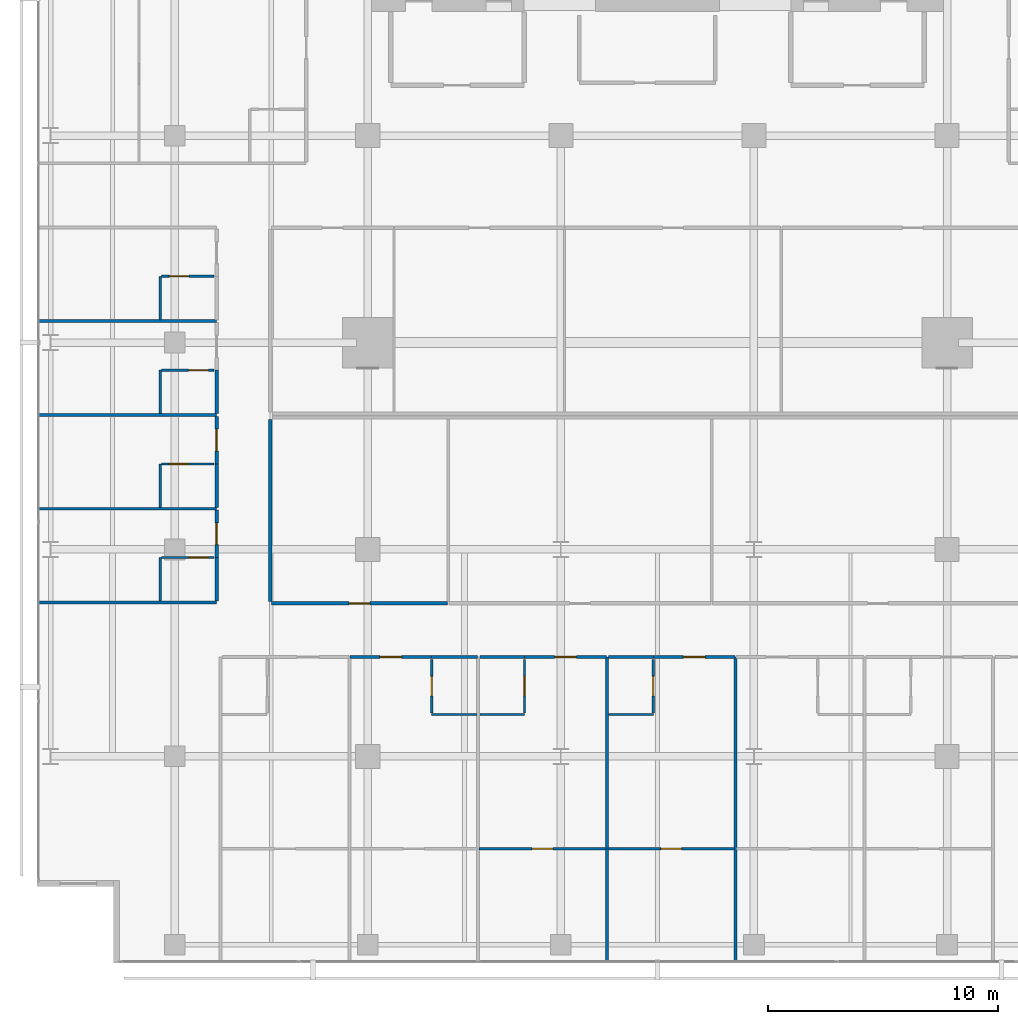
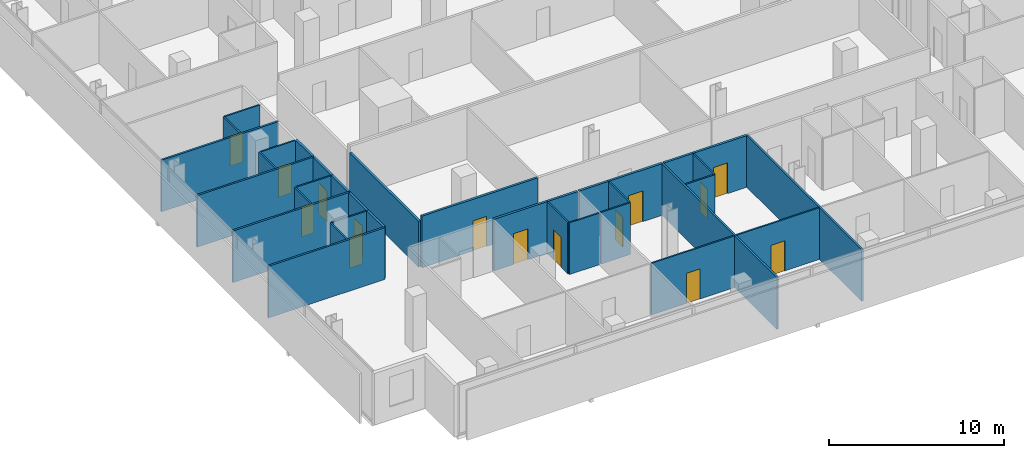
# One storey, part 33 of 40: 35 walls, 15 doors, 15 openings.
"""IFC4 building model written with IfcOpenShell, lengths in metres."""

from ifc_helpers import new_model, si_unit, direction, frame, frame_2d, origin, place, context, subcontext, project, spatial, rectangle, extrude, material, layer, layer_set, type_object, element, fill, save


model = new_model("IFC4")

# Units and contexts
model_context = context("Model", 3, precision=1e-05, world=origin(), true_north=direction((0.0, 1.0)))
body_context = subcontext(model_context, "Body", "Model", "MODEL_VIEW")
ifc_project = project(units=[si_unit("LENGTHUNIT", "METRE"), si_unit("AREAUNIT", "SQUARE_METRE"), si_unit("VOLUMEUNIT", "CUBIC_METRE"), si_unit("PLANEANGLEUNIT", "RADIAN"), si_unit("MASSUNIT", "GRAM", prefix="KILO")], contexts=[model_context])

# Site, building, storey
site_placement = place(None, origin())
site = spatial("IfcSite", under=ifc_project, at=site_placement, CompositionType="ELEMENT")
building_placement = place(site_placement, origin())
building = spatial("IfcBuilding", under=site, at=building_placement, Name="Maruvema Waterfront Hotel and Observation Tower", CompositionType="ELEMENT")
storey_placement = place(building_placement, frame((0.0, 0.0, 53.89990234375)))
storey = spatial("IfcBuildingStorey", under=building, at=storey_placement, Name="L12", CompositionType="ELEMENT", Elevation=53.89990234375)

# Wall
ifc_material_1 = material(Name="Twin-stud acoustic gypsum drywall", Category="gypsum")
ifc_layer_1 = layer(ifc_material_1, 0.14990234375, Name="Acoustic Corridor and Suite Demising Wall 150 mm")
ifc_layer_set_1 = layer_set([ifc_layer_1], Name="Twin-stud acoustic gypsum drywall")
wall_type_1 = type_object("IfcWallType", Name="Acoustic Corridor and Suite Demising Wall 150 mm", PredefinedType="PARTITIONING", material=ifc_layer_set_1)
wall_1_placement = place(storey_placement, frame((20.949951171875, 15.72998046875, 0.0), z_axis=(0.0, 0.0, 1.0), x_axis=(0.0, 1.0, 0.0)))
element("IfcWall", 1, at=wall_1_placement, inside=storey, type_object=wall_type_1, Name="L12 L12-INTS West Wall 027", PredefinedType="PARTITIONING", context=body_context, shape_type="SweptSolid", body=[
    extrude(rectangle(XDim=7.929931640625, YDim=0.14990234375, at=frame_2d((3.96484375, 0.0))), origin(), (0.0, 0.0, 1.0), 3.20703125),
])

# Wall, opening, door
wall_2_placement = place(storey_placement, frame((21.010009765625, 15.64990234375, 0.0), z_axis=(0.0, 0.0, 1.0), x_axis=(1.0, 0.0, 0.0)))
wall_2 = element("IfcWall", 2, at=wall_2_placement, inside=storey, type_object=wall_type_1, Name="L12 L12-INTS Front 1 029", PredefinedType="PARTITIONING", context=body_context, shape_type="SweptSolid", body=[
    extrude(rectangle(XDim=7.660888671875, YDim=0.14990234375, at=frame_2d((3.83056640625, 0.0))), origin(), (0.0, 0.0, 1.0), 3.610107421875),
])
opening_1_placement = place(wall_2_placement, frame((3.380615234375, 0.0, 0.0)))
opening_1 = element("IfcOpeningElement", 3, at=opening_1_placement, cuts=wall_2, Name="Opening DR-090", PredefinedType="OPENING", context=body_context, shape_type="SweptSolid", body=[
    extrude(rectangle(XDim=0.89990234375, YDim=2.10009765625, at=frame_2d((0.449951171875, 1.050048828125))), frame((0.0, 0.0849609375, 0.0), z_axis=(0.0, -1.0, 0.0), x_axis=(1.0, 0.0, 0.0)), (0.0, 0.0, 1.0), 0.169921875),
])
ifc_material_2 = material(Name="Solid-core lacquered timber leaf", Category="wood")
door_type_1 = type_object("IfcDoorType", Name="Accessible Toilet and Room Door 900x2100 mm", OperationType="NOTDEFINED", PredefinedType="DOOR", material=ifc_material_2)
door_1_placement = place(opening_1_placement, frame((0.89990234375, 0.0, 0.0), z_axis=(0.0, 0.0, 1.0), x_axis=(-1.0, 0.0, 0.0)))
door_1 = element("IfcDoor", 4, at=door_1_placement, inside=storey, type_object=door_type_1, Name="L12 Executive Business Office Door", OperationType="SINGLE_SWING_RIGHT", OverallHeight=2.10009765625, OverallWidth=0.89990234375, PredefinedType="DOOR", context=body_context, shape_type="SweptSolid", body=[
    extrude(rectangle(XDim=0.89990234375, YDim=2.10009765625, at=frame_2d((0.449951171875, 1.050048828125))), frame((0.0, 0.02490234375, 0.0), z_axis=(0.0, -1.0, 0.0), x_axis=(1.0, 0.0, 0.0)), (0.0, 0.0, 1.0), 0.050048828125),
])
fill(opening_1, door_1)

# Wall
wall_3_placement = place(storey_placement, frame((27.97998046875, 13.320068359375, 0.0), z_axis=(0.0, 0.0, 1.0), x_axis=(1.0, 0.0, 0.0)))
element("IfcWall", 5, at=wall_3_placement, inside=storey, type_object=wall_type_1, Name="L12 Bath L12-S2 Back Wall 042", PredefinedType="PARTITIONING", context=body_context, shape_type="SweptSolid", body=[
    extrude(rectangle(XDim=2.0, YDim=0.14990234375, at=frame_2d((1.0, 0.0))), origin(), (0.0, 0.0, 1.0), 3.610107421875),
])

# Wall, opening, door
wall_4_placement = place(storey_placement, frame((24.419921875, 13.320068359375, 0.0), z_axis=(0.0, 0.0, 1.0), x_axis=(1.0, 0.0, 0.0)))
wall_4 = element("IfcWall", 6, at=wall_4_placement, inside=storey, type_object=wall_type_1, Name="L12 Unit L12-S2 Corridor Wall 045", PredefinedType="PARTITIONING", context=body_context, shape_type="SweptSolid", body=[
    extrude(rectangle(XDim=3.56005859375, YDim=0.14990234375, at=frame_2d((1.780029296875, 0.0))), origin(), (0.0, 0.0, 1.0), 3.610107421875),
])
opening_2_placement = place(wall_4_placement, frame((1.304931640625, 0.0, 0.0)))
opening_2 = element("IfcOpeningElement", 7, at=opening_2_placement, cuts=wall_4, Name="Opening DR-095", PredefinedType="OPENING", context=body_context, shape_type="SweptSolid", body=[
    extrude(rectangle(XDim=0.949951171875, YDim=2.14990234375, at=frame_2d((0.47509765625, 1.074951171875))), frame((0.0, 0.0849609375, 0.0), z_axis=(0.0, -1.0, 0.0), x_axis=(1.0, 0.0, 0.0)), (0.0, 0.0, 1.0), 0.169921875),
])
ifc_material_3 = material(Name="Acoustic solid-core hardwood timber leaf", Category="wood")
door_type_2 = type_object("IfcDoorType", Name="Guestroom Entrance Fire Door 950x2150 mm", OperationType="NOTDEFINED", PredefinedType="DOOR", material=ifc_material_3)
door_2_placement = place(opening_2_placement, frame((0.949951171875, 0.0, 0.0), z_axis=(0.0, 0.0, 1.0), x_axis=(-1.0, 0.0, 0.0)))
door_2 = element("IfcDoor", 8, at=door_2_placement, inside=storey, type_object=door_type_2, Name="L12 Unit L12-S2 Entrance Door", OperationType="SINGLE_SWING_LEFT", OverallHeight=2.14990234375, OverallWidth=0.949951171875, PredefinedType="DOOR", context=body_context, shape_type="SweptSolid", body=[
    extrude(rectangle(XDim=0.949951171875, YDim=2.14990234375, at=frame_2d((0.47509765625, 1.074951171875))), frame((0.0, 0.02490234375, 0.0), z_axis=(0.0, -1.0, 0.0), x_axis=(1.0, 0.0, 0.0)), (0.0, 0.0, 1.0), 0.050048828125),
])
fill(opening_2, door_2)

# Wall
wall_5_placement = place(storey_placement, frame((30.080078125, 13.320068359375, 0.0), z_axis=(0.0, 0.0, 1.0), x_axis=(1.0, 0.0, 0.0)))
element("IfcWall", 9, at=wall_5_placement, inside=storey, type_object=wall_type_1, Name="L12 Bath L12-S3 Back Wall 048", PredefinedType="PARTITIONING", context=body_context, shape_type="SweptSolid", body=[
    extrude(rectangle(XDim=1.93994140625, YDim=0.14990234375, at=frame_2d((0.969970703125, 0.0))), origin(), (0.0, 0.0, 1.0), 3.610107421875),
])

# Wall, opening, door
wall_6_placement = place(storey_placement, frame((32.02001953125, 13.320068359375, 0.0), z_axis=(0.0, 0.0, 1.0), x_axis=(1.0, 0.0, 0.0)))
wall_6 = element("IfcWall", 10, at=wall_6_placement, inside=storey, type_object=wall_type_1, Name="L12 Unit L12-S3 Corridor Wall 051", PredefinedType="PARTITIONING", context=body_context, shape_type="SweptSolid", body=[
    extrude(rectangle(XDim=3.56005859375, YDim=0.14990234375, at=frame_2d((1.780029296875, 0.0))), origin(), (0.0, 0.0, 1.0), 3.610107421875),
])
opening_3_placement = place(wall_6_placement, frame((1.304931640625, 0.0, 0.0)))
opening_3 = element("IfcOpeningElement", 11, at=opening_3_placement, cuts=wall_6, Name="Opening DR-095", PredefinedType="OPENING", context=body_context, shape_type="SweptSolid", body=[
    extrude(rectangle(XDim=0.949951171875, YDim=2.14990234375, at=frame_2d((0.47509765625, 1.074951171875))), frame((0.0, 0.0849609375, 0.0), z_axis=(0.0, -1.0, 0.0), x_axis=(1.0, 0.0, 0.0)), (0.0, 0.0, 1.0), 0.169921875),
])
door_3_placement = place(opening_3_placement, frame((0.949951171875, 0.0, 0.0), z_axis=(0.0, 0.0, 1.0), x_axis=(-1.0, 0.0, 0.0)))
door_3 = element("IfcDoor", 12, at=door_3_placement, inside=storey, type_object=door_type_2, Name="L12 Unit L12-S3 Entrance Door", OperationType="SINGLE_SWING_RIGHT", OverallHeight=2.14990234375, OverallWidth=0.949951171875, PredefinedType="DOOR", context=body_context, shape_type="SweptSolid", body=[
    extrude(rectangle(XDim=0.949951171875, YDim=2.14990234375, at=frame_2d((0.47509765625, 1.074951171875))), frame((0.0, 0.02490234375, 0.0), z_axis=(0.0, -1.0, 0.0), x_axis=(1.0, 0.0, 0.0)), (0.0, 0.0, 1.0), 0.050048828125),
])
fill(opening_3, door_3)

# Wall
wall_7_placement = place(storey_placement, frame((35.679931640625, 13.320068359375, 0.0), z_axis=(0.0, 0.0, 1.0), x_axis=(1.0, 0.0, 0.0)))
element("IfcWall", 13, at=wall_7_placement, inside=storey, type_object=wall_type_1, Name="L12 Bath L12-S4 Back Wall 054", PredefinedType="PARTITIONING", context=body_context, shape_type="SweptSolid", body=[
    extrude(rectangle(XDim=1.940185546875, YDim=0.14990234375, at=frame_2d((0.97021484375, 0.0))), origin(), (0.0, 0.0, 1.0), 3.610107421875),
])

# Wall, opening, door
wall_8_placement = place(storey_placement, frame((37.6201171875, 13.320068359375, 0.0), z_axis=(0.0, 0.0, 1.0), x_axis=(1.0, 0.0, 0.0)))
wall_8 = element("IfcWall", 14, at=wall_8_placement, inside=storey, type_object=wall_type_1, Name="L12 Unit L12-S4 Corridor Wall 057", PredefinedType="PARTITIONING", context=body_context, shape_type="SweptSolid", body=[
    extrude(rectangle(XDim=3.559814453125, YDim=0.14990234375, at=frame_2d((1.77978515625, 0.0))), origin(), (0.0, 0.0, 1.0), 3.610107421875),
])
opening_4_placement = place(wall_8_placement, frame((1.304931640625, 0.0, 0.0)))
opening_4 = element("IfcOpeningElement", 15, at=opening_4_placement, cuts=wall_8, Name="Opening DR-095", PredefinedType="OPENING", context=body_context, shape_type="SweptSolid", body=[
    extrude(rectangle(XDim=0.949951171875, YDim=2.14990234375, at=frame_2d((0.47509765625, 1.074951171875))), frame((0.0, 0.0849609375, 0.0), z_axis=(0.0, -1.0, 0.0), x_axis=(1.0, 0.0, 0.0)), (0.0, 0.0, 1.0), 0.169921875),
])
door_4_placement = place(opening_4_placement, frame((0.949951171875, 0.0, 0.0), z_axis=(0.0, 0.0, 1.0), x_axis=(-1.0, 0.0, 0.0)))
door_4 = element("IfcDoor", 16, at=door_4_placement, inside=storey, type_object=door_type_2, Name="L12 Unit L12-S4 Entrance Door", OperationType="SINGLE_SWING_LEFT", OverallHeight=2.14990234375, OverallWidth=0.949951171875, PredefinedType="DOOR", context=body_context, shape_type="SweptSolid", body=[
    extrude(rectangle(XDim=0.949951171875, YDim=2.14990234375, at=frame_2d((0.47509765625, 1.074951171875))), frame((0.0, 0.02490234375, 0.0), z_axis=(0.0, -1.0, 0.0), x_axis=(1.0, 0.0, 0.0)), (0.0, 0.0, 1.0), 0.050048828125),
])
fill(opening_4, door_4)

# Wall
wall_9_placement = place(storey_placement, frame((18.6201171875, 15.760009765625, 0.0), z_axis=(0.0, 0.0, 1.0), x_axis=(0.0, 1.0, 0.0)))
element("IfcWall", 17, at=wall_9_placement, inside=storey, type_object=wall_type_1, Name="L12 Bath L12-W1 Wall 080", PredefinedType="PARTITIONING", context=body_context, shape_type="SweptSolid", body=[
    extrude(rectangle(XDim=1.889892578125, YDim=0.14990234375, at=frame_2d((0.94482421875, 0.0))), origin(), (0.0, 0.0, 1.0), 3.610107421875),
])

# Wall, opening, door
wall_10_placement = place(storey_placement, frame((18.6201171875, 17.64990234375, 0.0), z_axis=(0.0, 0.0, 1.0), x_axis=(0.0, 1.0, 0.0)))
wall_10 = element("IfcWall", 18, at=wall_10_placement, inside=storey, type_object=wall_type_1, Name="L12 Room L12-W1 Corridor Wall 081", PredefinedType="PARTITIONING", context=body_context, shape_type="SweptSolid", body=[
    extrude(rectangle(XDim=2.06005859375, YDim=0.14990234375, at=frame_2d((1.030029296875, 0.0))), origin(), (0.0, 0.0, 1.0), 3.610107421875),
])
opening_5_placement = place(wall_10_placement, frame((0.554931640625, 0.0, 0.0)))
opening_5 = element("IfcOpeningElement", 19, at=opening_5_placement, cuts=wall_10, Name="Opening DR-095", PredefinedType="OPENING", context=body_context, shape_type="SweptSolid", body=[
    extrude(rectangle(XDim=0.949951171875, YDim=2.14990234375, at=frame_2d((0.47509765625, 1.074951171875))), frame((0.0, 0.0849609375, 0.0), z_axis=(0.0, -1.0, 0.0), x_axis=(1.0, 0.0, 0.0)), (0.0, 0.0, 1.0), 0.169921875),
])
door_5_placement = place(opening_5_placement, origin())
door_5 = element("IfcDoor", 20, at=door_5_placement, inside=storey, type_object=door_type_2, Name="L12 Room L12-W1 Entrance Door", OperationType="SINGLE_SWING_RIGHT", OverallHeight=2.14990234375, OverallWidth=0.949951171875, PredefinedType="DOOR", context=body_context, shape_type="SweptSolid", body=[
    extrude(rectangle(XDim=0.949951171875, YDim=2.14990234375, at=frame_2d((0.47509765625, 1.074951171875))), frame((0.0, 0.02490234375, 0.0), z_axis=(0.0, -1.0, 0.0), x_axis=(1.0, 0.0, 0.0)), (0.0, 0.0, 1.0), 0.050048828125),
])
fill(opening_5, door_5)

# Wall
wall_11_placement = place(storey_placement, frame((18.6201171875, 19.830078125, 0.0), z_axis=(0.0, 0.0, 1.0), x_axis=(0.0, 1.0, 0.0)))
element("IfcWall", 21, at=wall_11_placement, inside=storey, type_object=wall_type_1, Name="L12 Bath L12-W2 Wall 090", PredefinedType="PARTITIONING", context=body_context, shape_type="SweptSolid", body=[
    extrude(rectangle(XDim=1.889892578125, YDim=0.14990234375, at=frame_2d((0.94482421875, 0.0))), origin(), (0.0, 0.0, 1.0), 3.610107421875),
])

# Wall, opening, door
wall_12_placement = place(storey_placement, frame((18.6201171875, 21.719970703125, 0.0), z_axis=(0.0, 0.0, 1.0), x_axis=(0.0, 1.0, 0.0)))
wall_12 = element("IfcWall", 22, at=wall_12_placement, inside=storey, type_object=wall_type_1, Name="L12 Room L12-W2 Corridor Wall 091", PredefinedType="PARTITIONING", context=body_context, shape_type="SweptSolid", body=[
    extrude(rectangle(XDim=2.070068359375, YDim=0.14990234375, at=frame_2d((1.03515625, 0.0))), origin(), (0.0, 0.0, 1.0), 3.610107421875),
])
opening_6_placement = place(wall_12_placement, frame((0.56005859375, 0.0, 0.0)))
opening_6 = element("IfcOpeningElement", 23, at=opening_6_placement, cuts=wall_12, Name="Opening DR-095", PredefinedType="OPENING", context=body_context, shape_type="SweptSolid", body=[
    extrude(rectangle(XDim=0.949951171875, YDim=2.14990234375, at=frame_2d((0.47509765625, 1.074951171875))), frame((0.0, 0.0849609375, 0.0), z_axis=(0.0, -1.0, 0.0), x_axis=(1.0, 0.0, 0.0)), (0.0, 0.0, 1.0), 0.169921875),
])
door_6_placement = place(opening_6_placement, origin())
door_6 = element("IfcDoor", 24, at=door_6_placement, inside=storey, type_object=door_type_2, Name="L12 Room L12-W2 Entrance Door", OperationType="SINGLE_SWING_RIGHT", OverallHeight=2.14990234375, OverallWidth=0.949951171875, PredefinedType="DOOR", context=body_context, shape_type="SweptSolid", body=[
    extrude(rectangle(XDim=0.949951171875, YDim=2.14990234375, at=frame_2d((0.47509765625, 1.074951171875))), frame((0.0, 0.02490234375, 0.0), z_axis=(0.0, -1.0, 0.0), x_axis=(1.0, 0.0, 0.0)), (0.0, 0.0, 1.0), 0.050048828125),
])
fill(opening_6, door_6)

# Walls
wall_13_placement = place(storey_placement, frame((18.6201171875, 23.909912109375, 0.0), z_axis=(0.0, 0.0, 1.0), x_axis=(0.0, 1.0, 0.0)))
element("IfcWall", 25, at=wall_13_placement, inside=storey, type_object=wall_type_1, Name="L12 Bath L12-W3 Wall 100", PredefinedType="PARTITIONING", context=body_context, shape_type="SweptSolid", body=[
    extrude(rectangle(XDim=1.89013671875, YDim=0.14990234375, at=frame_2d((0.945068359375, 0.0))), origin(), (0.0, 0.0, 1.0), 3.610107421875),
])
ifc_material_4 = material(Name="Moisture-resistant cement-board drywall", Category="gypsum")
ifc_layer_2 = layer(ifc_material_4, 0.10009765625, Name="En-Suite Moisture-Resistant Partition 100 mm")
ifc_layer_set_2 = layer_set([ifc_layer_2], Name="Moisture-resistant cement-board drywall")
wall_type_2 = type_object("IfcWallType", Name="En-Suite Moisture-Resistant Partition 100 mm", PredefinedType="PARTITIONING", material=ifc_layer_set_2)
wall_14_placement = place(storey_placement, frame((27.97998046875, 10.820068359375, 0.0), z_axis=(0.0, 0.0, 1.0), x_axis=(1.0, 0.0, 0.0)))
element("IfcWall", 26, at=wall_14_placement, inside=storey, type_object=wall_type_2, Name="L12 En-Suite L12-S2 South 043", PredefinedType="PARTITIONING", context=body_context, shape_type="SweptSolid", body=[
    extrude(rectangle(XDim=1.97998046875, YDim=0.10009765625, at=frame_2d((0.989990234375, 0.0))), origin(), (0.0, 0.0, 1.0), 3.610107421875),
])

# Wall, opening, door
wall_15_placement = place(storey_placement, frame((27.97998046875, 10.8798828125, 0.0), z_axis=(0.0, 0.0, 1.0), x_axis=(0.0, 1.0, 0.0)))
wall_15 = element("IfcWall", 27, at=wall_15_placement, inside=storey, type_object=wall_type_2, Name="L12 En-Suite L12-S2 West 044", PredefinedType="PARTITIONING", context=body_context, shape_type="SweptSolid", body=[
    extrude(rectangle(XDim=2.340087890625, YDim=0.10009765625, at=frame_2d((1.169921875, 0.0))), origin(), (0.0, 0.0, 1.0), 3.610107421875),
])
opening_7_placement = place(wall_15_placement, frame((0.7451171875, 0.0, 0.0)))
opening_7 = element("IfcOpeningElement", 28, at=opening_7_placement, cuts=wall_15, Name="Opening DR-085", PredefinedType="OPENING", context=body_context, shape_type="SweptSolid", body=[
    extrude(rectangle(XDim=0.85009765625, YDim=2.10009765625, at=frame_2d((0.425048828125, 1.050048828125))), frame((0.0, 0.06005859375, 0.0), z_axis=(0.0, -1.0, 0.0), x_axis=(1.0, 0.0, 0.0)), (0.0, 0.0, 1.0), 0.1201171875),
])
ifc_material_5 = material(Name="Moisture-resistant solid timber leaf", Category="wood")
door_type_3 = type_object("IfcDoorType", Name="En-Suite Bathroom Door 850x2100 mm", OperationType="NOTDEFINED", PredefinedType="DOOR", material=ifc_material_5)
door_7_placement = place(opening_7_placement, origin())
door_7 = element("IfcDoor", 29, at=door_7_placement, inside=storey, type_object=door_type_3, Name="L12 En-Suite L12-S2 Door", OperationType="SINGLE_SWING_RIGHT", OverallHeight=2.10009765625, OverallWidth=0.85009765625, PredefinedType="DOOR", context=body_context, shape_type="SweptSolid", body=[
    extrude(rectangle(XDim=0.85009765625, YDim=2.10009765625, at=frame_2d((0.425048828125, 1.050048828125))), frame((0.0, 0.02490234375, 0.0), z_axis=(0.0, -1.0, 0.0), x_axis=(1.0, 0.0, 0.0)), (0.0, 0.0, 1.0), 0.050048828125),
])
fill(opening_7, door_7)

# Wall
wall_16_placement = place(storey_placement, frame((30.080078125, 10.820068359375, 0.0), z_axis=(0.0, 0.0, 1.0), x_axis=(1.0, 0.0, 0.0)))
element("IfcWall", 30, at=wall_16_placement, inside=storey, type_object=wall_type_2, Name="L12 En-Suite L12-S3 South 049", PredefinedType="PARTITIONING", context=body_context, shape_type="SweptSolid", body=[
    extrude(rectangle(XDim=1.93994140625, YDim=0.10009765625, at=frame_2d((0.969970703125, 0.0))), origin(), (0.0, 0.0, 1.0), 3.610107421875),
])

# Wall, opening, door
wall_17_placement = place(storey_placement, frame((32.02001953125, 10.8798828125, 0.0), z_axis=(0.0, 0.0, 1.0), x_axis=(0.0, 1.0, 0.0)))
wall_17 = element("IfcWall", 31, at=wall_17_placement, inside=storey, type_object=wall_type_2, Name="L12 En-Suite L12-S3 East 050", PredefinedType="PARTITIONING", context=body_context, shape_type="SweptSolid", body=[
    extrude(rectangle(XDim=2.340087890625, YDim=0.10009765625, at=frame_2d((1.169921875, 0.0))), origin(), (0.0, 0.0, 1.0), 3.610107421875),
])
opening_8_placement = place(wall_17_placement, frame((0.7451171875, 0.0, 0.0)))
opening_8 = element("IfcOpeningElement", 32, at=opening_8_placement, cuts=wall_17, Name="Opening DR-085", PredefinedType="OPENING", context=body_context, shape_type="SweptSolid", body=[
    extrude(rectangle(XDim=0.85009765625, YDim=2.10009765625, at=frame_2d((0.425048828125, 1.050048828125))), frame((0.0, 0.06005859375, 0.0), z_axis=(0.0, -1.0, 0.0), x_axis=(1.0, 0.0, 0.0)), (0.0, 0.0, 1.0), 0.1201171875),
])
door_8_placement = place(opening_8_placement, frame((0.85009765625, 0.0, 0.0), z_axis=(0.0, 0.0, 1.0), x_axis=(-1.0, 0.0, 0.0)))
door_8 = element("IfcDoor", 33, at=door_8_placement, inside=storey, type_object=door_type_3, Name="L12 En-Suite L12-S3 Door", OperationType="SINGLE_SWING_LEFT", OverallHeight=2.10009765625, OverallWidth=0.85009765625, PredefinedType="DOOR", context=body_context, shape_type="SweptSolid", body=[
    extrude(rectangle(XDim=0.85009765625, YDim=2.10009765625, at=frame_2d((0.425048828125, 1.050048828125))), frame((0.0, 0.02490234375, 0.0), z_axis=(0.0, -1.0, 0.0), x_axis=(1.0, 0.0, 0.0)), (0.0, 0.0, 1.0), 0.050048828125),
])
fill(opening_8, door_8)

wall_18_placement = place(storey_placement, frame((30.0400390625, 4.977294921875, 0.0), z_axis=(0.0, 0.0, 1.0), x_axis=(1.0, 0.0, 0.0)))
wall_18 = element("IfcWall", 34, at=wall_18_placement, inside=storey, type_object=wall_type_2, Name="L12 Suite L12-S3 Split 052", PredefinedType="PARTITIONING", context=body_context, shape_type="SweptSolid", body=[
    extrude(rectangle(XDim=5.52001953125, YDim=0.10009765625, at=frame_2d((2.760009765625, 0.0))), origin(), (0.0, 0.0, 1.0), 3.610107421875),
])
opening_9_placement = place(wall_18_placement, frame((2.31005859375, 0.0, 0.0)))
opening_9 = element("IfcOpeningElement", 35, at=opening_9_placement, cuts=wall_18, Name="Opening DR-090", PredefinedType="OPENING", context=body_context, shape_type="SweptSolid", body=[
    extrude(rectangle(XDim=0.89990234375, YDim=2.10009765625, at=frame_2d((0.449951171875, 1.050048828125))), frame((0.0, 0.06005859375, 0.0), z_axis=(0.0, -1.0, 0.0), x_axis=(1.0, 0.0, 0.0)), (0.0, 0.0, 1.0), 0.1201171875),
])
door_9_placement = place(opening_9_placement, frame((0.89990234375, 0.0, 0.0), z_axis=(0.0, 0.0, 1.0), x_axis=(-1.0, 0.0, 0.0)))
door_9 = element("IfcDoor", 36, at=door_9_placement, inside=storey, type_object=door_type_1, Name="L12 Suite L12-S3 Bedroom Door", OperationType="SINGLE_SWING_LEFT", OverallHeight=2.10009765625, OverallWidth=0.89990234375, PredefinedType="DOOR", context=body_context, shape_type="SweptSolid", body=[
    extrude(rectangle(XDim=0.89990234375, YDim=2.10009765625, at=frame_2d((0.449951171875, 1.050048828125))), frame((0.0, 0.02490234375, 0.0), z_axis=(0.0, -1.0, 0.0), x_axis=(1.0, 0.0, 0.0)), (0.0, 0.0, 1.0), 0.050048828125),
])
fill(opening_9, door_9)

# Wall
wall_19_placement = place(storey_placement, frame((35.679931640625, 10.820068359375, 0.0), z_axis=(0.0, 0.0, 1.0), x_axis=(1.0, 0.0, 0.0)))
element("IfcWall", 37, at=wall_19_placement, inside=storey, type_object=wall_type_2, Name="L12 En-Suite L12-S4 South 055", PredefinedType="PARTITIONING", context=body_context, shape_type="SweptSolid", body=[
    extrude(rectangle(XDim=1.940185546875, YDim=0.10009765625, at=frame_2d((0.97021484375, 0.0))), origin(), (0.0, 0.0, 1.0), 3.610107421875),
])

# Wall, opening, door
wall_20_placement = place(storey_placement, frame((37.6201171875, 10.8798828125, 0.0), z_axis=(0.0, 0.0, 1.0), x_axis=(0.0, 1.0, 0.0)))
wall_20 = element("IfcWall", 38, at=wall_20_placement, inside=storey, type_object=wall_type_2, Name="L12 En-Suite L12-S4 East 056", PredefinedType="PARTITIONING", context=body_context, shape_type="SweptSolid", body=[
    extrude(rectangle(XDim=2.340087890625, YDim=0.10009765625, at=frame_2d((1.169921875, 0.0))), origin(), (0.0, 0.0, 1.0), 3.610107421875),
])
opening_10_placement = place(wall_20_placement, frame((0.7451171875, 0.0, 0.0)))
opening_10 = element("IfcOpeningElement", 39, at=opening_10_placement, cuts=wall_20, Name="Opening DR-085", PredefinedType="OPENING", context=body_context, shape_type="SweptSolid", body=[
    extrude(rectangle(XDim=0.85009765625, YDim=2.10009765625, at=frame_2d((0.425048828125, 1.050048828125))), frame((0.0, 0.06005859375, 0.0), z_axis=(0.0, -1.0, 0.0), x_axis=(1.0, 0.0, 0.0)), (0.0, 0.0, 1.0), 0.1201171875),
])
door_10_placement = place(opening_10_placement, frame((0.85009765625, 0.0, 0.0), z_axis=(0.0, 0.0, 1.0), x_axis=(-1.0, 0.0, 0.0)))
door_10 = element("IfcDoor", 40, at=door_10_placement, inside=storey, type_object=door_type_3, Name="L12 En-Suite L12-S4 Door", OperationType="SINGLE_SWING_RIGHT", OverallHeight=2.10009765625, OverallWidth=0.85009765625, PredefinedType="DOOR", context=body_context, shape_type="SweptSolid", body=[
    extrude(rectangle(XDim=0.85009765625, YDim=2.10009765625, at=frame_2d((0.425048828125, 1.050048828125))), frame((0.0, 0.02490234375, 0.0), z_axis=(0.0, -1.0, 0.0), x_axis=(1.0, 0.0, 0.0)), (0.0, 0.0, 1.0), 0.050048828125),
])
fill(opening_10, door_10)

wall_21_placement = place(storey_placement, frame((35.639892578125, 4.977294921875, 0.0), z_axis=(0.0, 0.0, 1.0), x_axis=(1.0, 0.0, 0.0)))
wall_21 = element("IfcWall", 41, at=wall_21_placement, inside=storey, type_object=wall_type_2, Name="L12 Suite L12-S4 Split 058", PredefinedType="PARTITIONING", context=body_context, shape_type="SweptSolid", body=[
    extrude(rectangle(XDim=5.52001953125, YDim=0.10009765625, at=frame_2d((2.760009765625, 0.0))), origin(), (0.0, 0.0, 1.0), 3.610107421875),
])
opening_11_placement = place(wall_21_placement, frame((2.31005859375, 0.0, 0.0)))
opening_11 = element("IfcOpeningElement", 42, at=opening_11_placement, cuts=wall_21, Name="Opening DR-090", PredefinedType="OPENING", context=body_context, shape_type="SweptSolid", body=[
    extrude(rectangle(XDim=0.89990234375, YDim=2.10009765625, at=frame_2d((0.449951171875, 1.050048828125))), frame((0.0, 0.06005859375, 0.0), z_axis=(0.0, -1.0, 0.0), x_axis=(1.0, 0.0, 0.0)), (0.0, 0.0, 1.0), 0.1201171875),
])
door_11_placement = place(opening_11_placement, frame((0.89990234375, 0.0, 0.0), z_axis=(0.0, 0.0, 1.0), x_axis=(-1.0, 0.0, 0.0)))
door_11 = element("IfcDoor", 43, at=door_11_placement, inside=storey, type_object=door_type_1, Name="L12 Suite L12-S4 Bedroom Door", OperationType="SINGLE_SWING_RIGHT", OverallHeight=2.10009765625, OverallWidth=0.89990234375, PredefinedType="DOOR", context=body_context, shape_type="SweptSolid", body=[
    extrude(rectangle(XDim=0.89990234375, YDim=2.10009765625, at=frame_2d((0.449951171875, 1.050048828125))), frame((0.0, 0.02490234375, 0.0), z_axis=(0.0, -1.0, 0.0), x_axis=(1.0, 0.0, 0.0)), (0.0, 0.0, 1.0), 0.050048828125),
])
fill(opening_11, door_11)

# Wall
wall_22_placement = place(storey_placement, frame((16.169921875, 15.760009765625, 0.0), z_axis=(0.0, 0.0, 1.0), x_axis=(0.0, 1.0, 0.0)))
element("IfcWall", 44, at=wall_22_placement, inside=storey, type_object=wall_type_2, Name="L12 En-Suite L12-W1 W 082", PredefinedType="PARTITIONING", context=body_context, shape_type="SweptSolid", body=[
    extrude(rectangle(XDim=1.889892578125, YDim=0.10009765625, at=frame_2d((0.94482421875, 0.0))), origin(), (0.0, 0.0, 1.0), 3.610107421875),
])

# Wall, opening, door
wall_23_placement = place(storey_placement, frame((16.219970703125, 17.64990234375, 0.0), z_axis=(0.0, 0.0, 1.0), x_axis=(1.0, 0.0, 0.0)))
wall_23 = element("IfcWall", 45, at=wall_23_placement, inside=storey, type_object=wall_type_2, Name="L12 En-Suite L12-W1 N 083", PredefinedType="PARTITIONING", context=body_context, shape_type="SweptSolid", body=[
    extrude(rectangle(XDim=2.300048828125, YDim=0.10009765625, at=frame_2d((1.14990234375, 0.0))), origin(), (0.0, 0.0, 1.0), 3.610107421875),
])
opening_12_placement = place(wall_23_placement, frame((1.18994140625, 0.0, 0.0)))
opening_12 = element("IfcOpeningElement", 46, at=opening_12_placement, cuts=wall_23, Name="Opening DR-085", PredefinedType="OPENING", context=body_context, shape_type="SweptSolid", body=[
    extrude(rectangle(XDim=0.85009765625, YDim=2.10009765625, at=frame_2d((0.425048828125, 1.050048828125))), frame((0.0, 0.06005859375, 0.0), z_axis=(0.0, -1.0, 0.0), x_axis=(1.0, 0.0, 0.0)), (0.0, 0.0, 1.0), 0.1201171875),
])
door_12_placement = place(opening_12_placement, origin())
door_12 = element("IfcDoor", 47, at=door_12_placement, inside=storey, type_object=door_type_3, Name="L12 En-Suite L12-W1 Door", OperationType="SINGLE_SWING_LEFT", OverallHeight=2.10009765625, OverallWidth=0.85009765625, PredefinedType="DOOR", context=body_context, shape_type="SweptSolid", body=[
    extrude(rectangle(XDim=0.85009765625, YDim=2.10009765625, at=frame_2d((0.425048828125, 1.050048828125))), frame((0.0, 0.02490234375, 0.0), z_axis=(0.0, -1.0, 0.0), x_axis=(1.0, 0.0, 0.0)), (0.0, 0.0, 1.0), 0.050048828125),
])
fill(opening_12, door_12)

# Wall
wall_24_placement = place(storey_placement, frame((16.169921875, 19.830078125, 0.0), z_axis=(0.0, 0.0, 1.0), x_axis=(0.0, 1.0, 0.0)))
element("IfcWall", 48, at=wall_24_placement, inside=storey, type_object=wall_type_2, Name="L12 En-Suite L12-W2 W 092", PredefinedType="PARTITIONING", context=body_context, shape_type="SweptSolid", body=[
    extrude(rectangle(XDim=1.889892578125, YDim=0.10009765625, at=frame_2d((0.94482421875, 0.0))), origin(), (0.0, 0.0, 1.0), 3.610107421875),
])

# Wall, opening, door
wall_25_placement = place(storey_placement, frame((16.219970703125, 21.719970703125, 0.0), z_axis=(0.0, 0.0, 1.0), x_axis=(1.0, 0.0, 0.0)))
wall_25 = element("IfcWall", 49, at=wall_25_placement, inside=storey, type_object=wall_type_2, Name="L12 En-Suite L12-W2 N 093", PredefinedType="PARTITIONING", context=body_context, shape_type="SweptSolid", body=[
    extrude(rectangle(XDim=2.300048828125, YDim=0.10009765625, at=frame_2d((1.14990234375, 0.0))), origin(), (0.0, 0.0, 1.0), 3.610107421875),
])
opening_13_placement = place(wall_25_placement, frame((0.35009765625, 0.0, 0.0)))
opening_13 = element("IfcOpeningElement", 50, at=opening_13_placement, cuts=wall_25, Name="Opening DR-085", PredefinedType="OPENING", context=body_context, shape_type="SweptSolid", body=[
    extrude(rectangle(XDim=0.85009765625, YDim=2.10009765625, at=frame_2d((0.425048828125, 1.050048828125))), frame((0.0, 0.06005859375, 0.0), z_axis=(0.0, -1.0, 0.0), x_axis=(1.0, 0.0, 0.0)), (0.0, 0.0, 1.0), 0.1201171875),
])
door_13_placement = place(opening_13_placement, origin())
door_13 = element("IfcDoor", 51, at=door_13_placement, inside=storey, type_object=door_type_3, Name="L12 En-Suite L12-W2 Door", OperationType="SINGLE_SWING_LEFT", OverallHeight=2.10009765625, OverallWidth=0.85009765625, PredefinedType="DOOR", context=body_context, shape_type="SweptSolid", body=[
    extrude(rectangle(XDim=0.85009765625, YDim=2.10009765625, at=frame_2d((0.425048828125, 1.050048828125))), frame((0.0, 0.02490234375, 0.0), z_axis=(0.0, -1.0, 0.0), x_axis=(1.0, 0.0, 0.0)), (0.0, 0.0, 1.0), 0.050048828125),
])
fill(opening_13, door_13)

# Wall
wall_26_placement = place(storey_placement, frame((16.169921875, 23.909912109375, 0.0), z_axis=(0.0, 0.0, 1.0), x_axis=(0.0, 1.0, 0.0)))
element("IfcWall", 52, at=wall_26_placement, inside=storey, type_object=wall_type_2, Name="L12 En-Suite L12-W3 W 102", PredefinedType="PARTITIONING", context=body_context, shape_type="SweptSolid", body=[
    extrude(rectangle(XDim=1.89013671875, YDim=0.10009765625, at=frame_2d((0.945068359375, 0.0))), origin(), (0.0, 0.0, 1.0), 3.610107421875),
])

# Wall, opening, door
wall_27_placement = place(storey_placement, frame((16.219970703125, 25.800048828125, 0.0), z_axis=(0.0, 0.0, 1.0), x_axis=(1.0, 0.0, 0.0)))
wall_27 = element("IfcWall", 53, at=wall_27_placement, inside=storey, type_object=wall_type_2, Name="L12 En-Suite L12-W3 N 103", PredefinedType="PARTITIONING", context=body_context, shape_type="SweptSolid", body=[
    extrude(rectangle(XDim=2.300048828125, YDim=0.10009765625, at=frame_2d((1.14990234375, 0.0))), origin(), (0.0, 0.0, 1.0), 3.610107421875),
])
opening_14_placement = place(wall_27_placement, frame((1.18994140625, 0.0, 0.0)))
opening_14 = element("IfcOpeningElement", 54, at=opening_14_placement, cuts=wall_27, Name="Opening DR-085", PredefinedType="OPENING", context=body_context, shape_type="SweptSolid", body=[
    extrude(rectangle(XDim=0.85009765625, YDim=2.10009765625, at=frame_2d((0.425048828125, 1.050048828125))), frame((0.0, 0.06005859375, 0.0), z_axis=(0.0, -1.0, 0.0), x_axis=(1.0, 0.0, 0.0)), (0.0, 0.0, 1.0), 0.1201171875),
])
door_14_placement = place(opening_14_placement, origin())
door_14 = element("IfcDoor", 55, at=door_14_placement, inside=storey, type_object=door_type_3, Name="L12 En-Suite L12-W3 Door", OperationType="SINGLE_SWING_LEFT", OverallHeight=2.10009765625, OverallWidth=0.85009765625, PredefinedType="DOOR", context=body_context, shape_type="SweptSolid", body=[
    extrude(rectangle(XDim=0.85009765625, YDim=2.10009765625, at=frame_2d((0.425048828125, 1.050048828125))), frame((0.0, 0.02490234375, 0.0), z_axis=(0.0, -1.0, 0.0), x_axis=(1.0, 0.0, 0.0)), (0.0, 0.0, 1.0), 0.050048828125),
])
fill(opening_14, door_14)

# Wall
wall_28_placement = place(storey_placement, frame((16.169921875, 27.989990234375, 0.0), z_axis=(0.0, 0.0, 1.0), x_axis=(0.0, 1.0, 0.0)))
element("IfcWall", 56, at=wall_28_placement, inside=storey, type_object=wall_type_2, Name="L12 En-Suite L12-W4 W 112", PredefinedType="PARTITIONING", context=body_context, shape_type="SweptSolid", body=[
    extrude(rectangle(XDim=1.889892578125, YDim=0.10009765625, at=frame_2d((0.94482421875, 0.0))), origin(), (0.0, 0.0, 1.0), 3.610107421875),
])

# Wall, opening, door
wall_29_placement = place(storey_placement, frame((16.219970703125, 29.8798828125, 0.0), z_axis=(0.0, 0.0, 1.0), x_axis=(1.0, 0.0, 0.0)))
wall_29 = element("IfcWall", 57, at=wall_29_placement, inside=storey, type_object=wall_type_2, Name="L12 En-Suite L12-W4 N 113", PredefinedType="PARTITIONING", context=body_context, shape_type="SweptSolid", body=[
    extrude(rectangle(XDim=2.300048828125, YDim=0.10009765625, at=frame_2d((1.14990234375, 0.0))), origin(), (0.0, 0.0, 1.0), 3.610107421875),
])
opening_15_placement = place(wall_29_placement, frame((0.35009765625, 0.0, 0.0)))
opening_15 = element("IfcOpeningElement", 58, at=opening_15_placement, cuts=wall_29, Name="Opening DR-085", PredefinedType="OPENING", context=body_context, shape_type="SweptSolid", body=[
    extrude(rectangle(XDim=0.85009765625, YDim=2.10009765625, at=frame_2d((0.425048828125, 1.050048828125))), frame((0.0, 0.06005859375, 0.0), z_axis=(0.0, -1.0, 0.0), x_axis=(1.0, 0.0, 0.0)), (0.0, 0.0, 1.0), 0.1201171875),
])
door_15_placement = place(opening_15_placement, origin())
door_15 = element("IfcDoor", 59, at=door_15_placement, inside=storey, type_object=door_type_3, Name="L12 En-Suite L12-W4 Door", OperationType="SINGLE_SWING_LEFT", OverallHeight=2.10009765625, OverallWidth=0.85009765625, PredefinedType="DOOR", context=body_context, shape_type="SweptSolid", body=[
    extrude(rectangle(XDim=0.85009765625, YDim=2.10009765625, at=frame_2d((0.425048828125, 1.050048828125))), frame((0.0, 0.02490234375, 0.0), z_axis=(0.0, -1.0, 0.0), x_axis=(1.0, 0.0, 0.0)), (0.0, 0.0, 1.0), 0.050048828125),
])
fill(opening_15, door_15)

# Walls
ifc_material_6 = material(Name="Acoustic gypsum plasterboard drywall", Category="gypsum")
ifc_layer_3 = layer(ifc_material_6, 0.125, Name="Guestroom Acoustic Demising Wall 125 mm")
ifc_layer_set_3 = layer_set([ifc_layer_3], Name="Acoustic gypsum plasterboard drywall")
wall_type_3 = type_object("IfcWallType", Name="Guestroom Acoustic Demising Wall 125 mm", PredefinedType="PARTITIONING", material=ifc_layer_set_3)
for number, where, z_axis, x_axis, name in (
    (60, (35.60009765625, 0.10009765625, 0.0), (0.0, 0.0, 1.0), (0.0, 1.0, 0.0), "L12 S Demising 4 053"),
    (61, (41.199951171875, 0.10009765625, 0.0), (0.0, 0.0, 1.0), (0.0, 1.0, 0.0), "L12 S Demising 5 059"),
):
    element("IfcWall", number, at=place(storey_placement, frame(where, z_axis=z_axis, x_axis=x_axis)), inside=storey, type_object=wall_type_3, Name=name, PredefinedType="PARTITIONING", context=body_context, shape_type="SweptSolid", body=[
        extrude(rectangle(XDim=13.219970703125, YDim=0.125, at=frame_2d((6.60986328125, 0.0))), origin(), (0.0, 0.0, 1.0), 3.610107421875),
    ])
for number, where, z_axis, x_axis, name in (
    (62, (10.89990234375, 15.699951171875, 0.0), (0.0, 0.0, 1.0), (1.0, 0.0, 0.0), "L12 W Bot End 076"),
    (63, (10.89990234375, 19.77001953125, 0.0), (0.0, 0.0, 1.0), (1.0, 0.0, 0.0), "L12 W Demising 2 088"),
    (64, (10.89990234375, 23.85009765625, 0.0), (0.0, 0.0, 1.0), (1.0, 0.0, 0.0), "L12 W Demising 3 098"),
    (65, (10.89990234375, 27.929931640625, 0.0), (0.0, 0.0, 1.0), (1.0, 0.0, 0.0), "L12 W Demising 4 108"),
):
    element("IfcWall", number, at=place(storey_placement, frame(where, z_axis=z_axis, x_axis=x_axis)), inside=storey, type_object=wall_type_3, Name=name, PredefinedType="PARTITIONING", context=body_context, shape_type="SweptSolid", body=[
        extrude(rectangle(XDim=7.72021484375, YDim=0.125, at=frame_2d((3.860107421875, 0.0))), origin(), (0.0, 0.0, 1.0), 3.610107421875),
    ])

save(model, "model.ifc")
